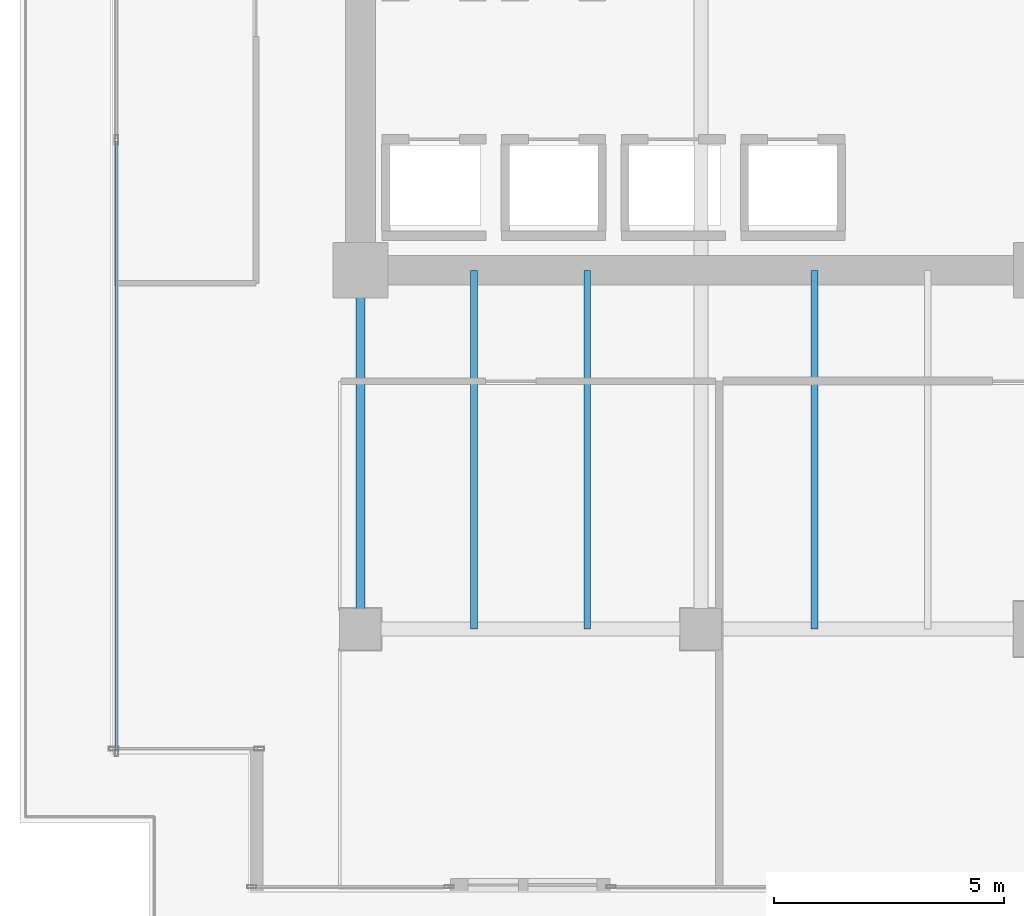
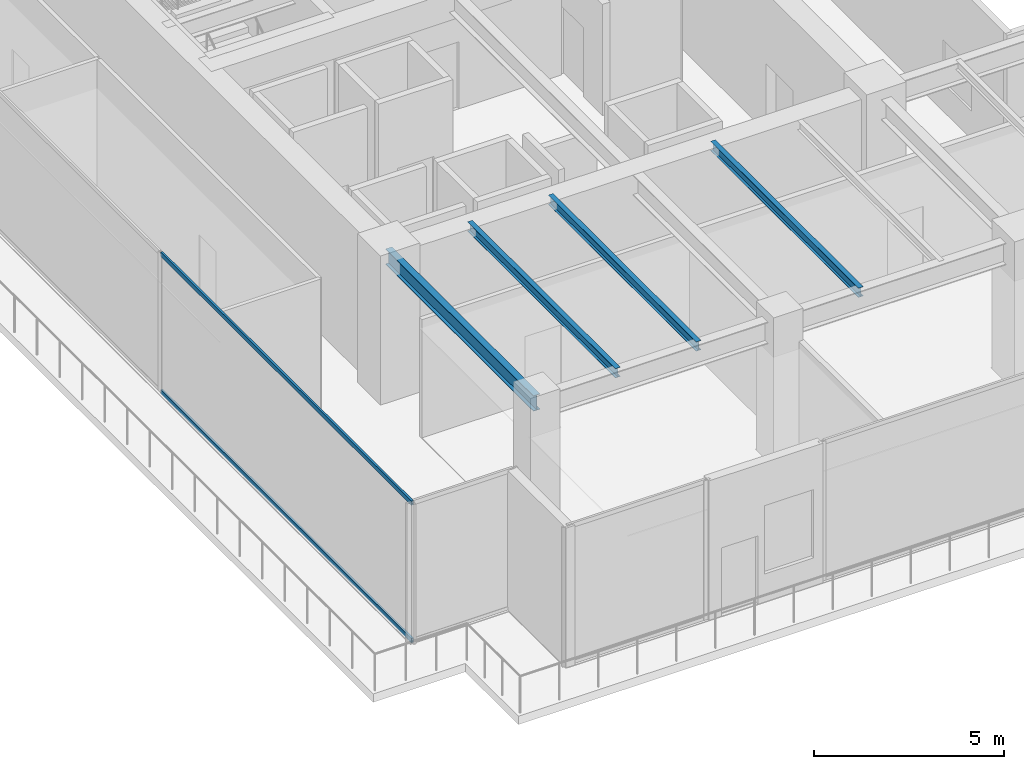
# One storey, part 3 of 33: 4 beams, 2 members, 1 element without a shape of its own.
"""IFC4 building model written with IfcOpenShell, lengths in metres."""

from ifc_helpers import new_model, si_unit, direction, frame, origin, origin_2d, place, context, subcontext, project, spatial, hollow_rectangle, i_section, extrude, source, transform, mapped, material, layer, layer_set, material_profile, profile_set, type_object, type_shapes, element, aggregate, save


model = new_model("IFC4")

# Units and contexts
model_context = context("Model", 3, precision=1e-05, world=origin(), true_north=direction((0.0, 1.0)))
body_context = subcontext(model_context, "Body", "Model", "MODEL_VIEW")
ifc_project = project(units=[si_unit("LENGTHUNIT", "METRE"), si_unit("AREAUNIT", "SQUARE_METRE"), si_unit("VOLUMEUNIT", "CUBIC_METRE"), si_unit("PLANEANGLEUNIT", "RADIAN"), si_unit("MASSUNIT", "GRAM", prefix="KILO")], contexts=[model_context])

# Site, building, storey
site_placement = place(None, origin())
site = spatial("IfcSite", under=ifc_project, at=site_placement, CompositionType="ELEMENT")
building_placement = place(site_placement, origin())
building = spatial("IfcBuilding", under=site, at=building_placement, Name="Haelvirn Gate Laboratories", CompositionType="ELEMENT")
storey_placement = place(building_placement, frame((0.0, 0.0, 100.300048828125)))
storey = spatial("IfcBuildingStorey", under=building, at=storey_placement, Name="L24", CompositionType="ELEMENT", Elevation=100.300048828125)

# Beams
ifc_material_1 = material(Name="Steel SM355", Category="steel")
ifc_material_profile_1 = material_profile(ifc_material_1, i_section(OverallWidth=0.199951171875, OverallDepth=0.5, WebThickness=0.010009765625, FlangeThickness=0.01611328125, at=origin_2d()), Name="H-500x200x10x16")
ifc_profile_set_1 = profile_set([ifc_material_profile_1], Name="Steel SM355")
beam_type_1 = type_object("IfcBeamType", Name="BM-SP-500", PredefinedType="SPANDREL", material=ifc_profile_set_1)
shared_shape_1 = source(origin(), body_context, "Body", "SweptSolid", [
    extrude(i_section(OverallWidth=0.199951171875, OverallDepth=0.5, WebThickness=0.010009765625, FlangeThickness=0.01611328125, at=origin_2d()), origin(), (0.0, 0.0, 1.0), 7.800048828125),
])
type_shapes(beam_type_1, [shared_shape_1])
beam_placement = place(storey_placement, frame((7.39990234375, 7.0, 4.239990234375), z_axis=(0.0, 1.0, 0.0), x_axis=(-1.0, 0.0, 0.0)))
element("IfcBeam", 1, at=beam_placement, inside=storey, type_object=beam_type_1, Name="L24 Perimeter Spandrel X7.4 (7.0-14.8)", PredefinedType="SPANDREL", context=body_context, shape_type="MappedRepresentation", body=[
    mapped(shared_shape_1, transform((0.0, 0.0, 0.0), scale=1.0)),
])
ifc_material_profile_2 = material_profile(ifc_material_1, i_section(OverallWidth=0.14990234375, OverallDepth=0.300048828125, WebThickness=0.006591796875, FlangeThickness=0.009033203125, at=origin_2d()), Name="H-300x150x6.5x9")
ifc_profile_set_2 = profile_set([ifc_material_profile_2], Name="Steel SM355")
beam_type_2 = type_object("IfcBeamType", Name="BM-J-300", PredefinedType="JOIST", material=ifc_profile_set_2)
shared_shape_2 = source(origin(), body_context, "Body", "SweptSolid", [
    extrude(i_section(OverallWidth=0.14990234375, OverallDepth=0.300048828125, WebThickness=0.006591796875, FlangeThickness=0.009033203125, at=origin_2d()), origin(), (0.0, 0.0, 1.0), 7.800048828125),
])
type_shapes(beam_type_2, [shared_shape_2])
for number, where, z_axis, x_axis, name in (
    (2, (9.8701171875, 7.0, 4.33984375), (0.0, 1.0, 0.0), (-1.0, 0.0, 0.0), "L24 Composite Lab Joist South X9.87"),
    (3, (12.330078125, 7.0, 4.33984375), (0.0, 1.0, 0.0), (-1.0, 0.0, 0.0), "L24 Composite Lab Joist South X12.33"),
    (4, (17.27001953125, 7.0, 4.33984375), (0.0, 1.0, 0.0), (-1.0, 0.0, 0.0), "L24 Composite Lab Joist South X17.27"),
):
    element("IfcBeam", number, at=place(storey_placement, frame(where, z_axis=z_axis, x_axis=x_axis)), inside=storey, type_object=beam_type_2, Name=name, PredefinedType="JOIST", context=body_context, shape_type="MappedRepresentation", body=[
        mapped(shared_shape_2, transform((0.0, 0.0, 0.0), scale=1.0)),
    ])

# Curtain wall, members
ifc_material_2 = material(Name="Anodised bronze unitised aluminium & triple low-E glass", Category="aluminium")
ifc_layer = layer(ifc_material_2, 0.179931640625, Name="CW-SYS-3")
ifc_layer_set = layer_set([ifc_layer], Name="Anodised bronze unitised aluminium & triple low-E glass")
curtain_wall_type = type_object("IfcCurtainWallType", Name="CW-SYS-3", PredefinedType="NOTDEFINED", material=ifc_layer_set)
curtain_wall_placement = place(storey_placement, origin())
curtain_wall = element("IfcCurtainWall", 5, at=curtain_wall_placement, inside=storey, type_object=curtain_wall_type, Name="L24 Unitised Curtain Wall CW-L24-P0-E17", PredefinedType="NOTDEFINED")
ifc_material_3 = material(Name="Extruded aluminium 6063-T6 (anodised bronze)", Category="aluminium")
ifc_material_profile_3 = material_profile(ifc_material_3, hollow_rectangle(XDim=0.06494140625, YDim=0.139892578125, WallThickness=0.00390625, at=origin_2d()), Name="CWT-140x65x4")
ifc_profile_set_3 = profile_set([ifc_material_profile_3], Name="Extruded aluminium 6063-T6 (anodised bronze)")
member_type = type_object("IfcMemberType", Name="CWT-T140", PredefinedType="USERDEFINED", material=ifc_profile_set_3)
shared_shape_3 = source(origin(), body_context, "Body", "SweptSolid", [
    extrude(hollow_rectangle(XDim=0.06494140625, YDim=0.139892578125, WallThickness=0.00390625, at=origin_2d()), origin(), (0.0, 0.0, 1.0), 13.220947265625),
])
type_shapes(member_type, [shared_shape_3])
member_1_placement = place(storey_placement, frame((2.10009765625, 17.595947265625, 0.032470703125), z_axis=(0.0, -1.0, 0.0), x_axis=(1.0, 0.0, 0.0)))
member_1 = element("IfcMember", 6, at=member_1_placement, type_object=member_type, Name="CW3 transom 3.1", ObjectType="TRANSOM", PredefinedType="USERDEFINED", context=body_context, shape_type="MappedRepresentation", body=[
    mapped(shared_shape_3, transform((0.0, 0.0, 0.0), scale=1.0)),
])
member_2_placement = place(storey_placement, frame((2.10009765625, 17.595947265625, 4.45751953125), z_axis=(0.0, -1.0, 0.0), x_axis=(1.0, 0.0, 0.0)))
member_2 = element("IfcMember", 7, at=member_2_placement, type_object=member_type, Name="CW3 transom 3.2", ObjectType="TRANSOM", PredefinedType="USERDEFINED", context=body_context, shape_type="MappedRepresentation", body=[
    mapped(shared_shape_3, transform((0.0, 0.0, 0.0), scale=1.0)),
])
aggregate(curtain_wall, [member_1, member_2])

save(model, "model.ifc")
